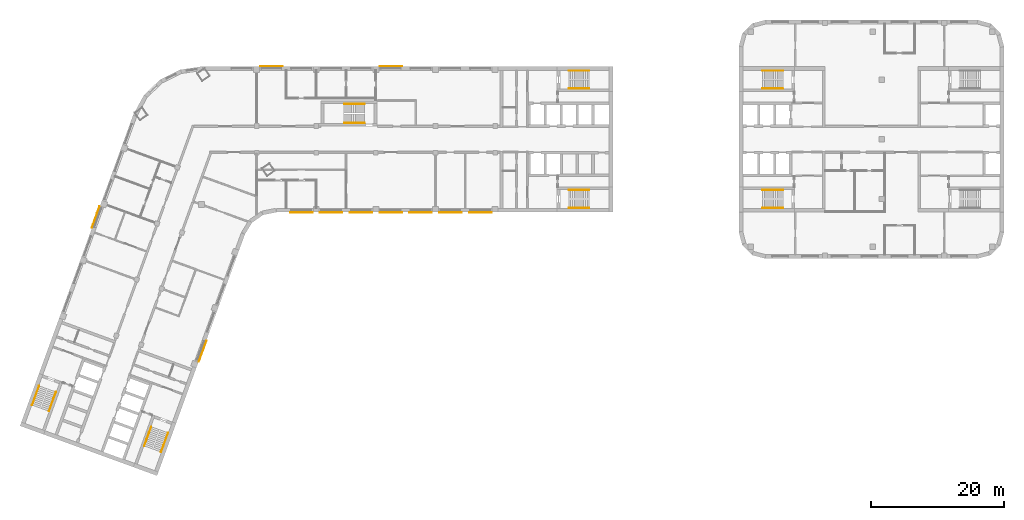
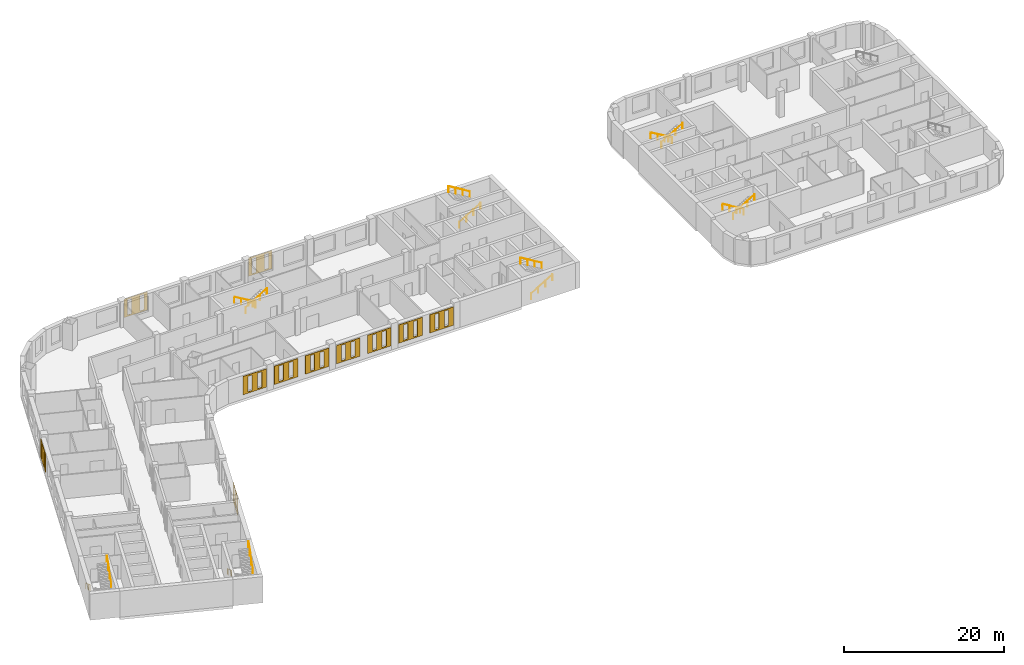
# One storey, part 11 of 12: 14 railings, 11 coverings.
"""IFC4 building model written with IfcOpenShell, lengths in metres."""

import ifcopenshell
import ifcopenshell.guid

model = None  # the IFC model being written
_history = None  # IfcOwnerHistory: only IFC2X3 demands one
_inside = {}  # id of a spatial element -> (the spatial element, [elements in it])
_under = {}  # id of a project, library or spatial element -> (it, [spatial elements below it])
_declared = {}  # id of a project -> (the project, [libraries it declares])
_typed = {}  # id of a type object -> (the type object, [elements of that type])
_made_of = {}  # id of a material, layer set ... -> (it, [elements and type objects made of it])


def new_model(schema):
    """Start an empty IFC model of exactly this schema.

    Asked for "IFC4X3", IfcOpenShell would pick the latest addendum, in which some entities
    have other attributes; the version numbers below select the first issue.
    IFC2X3 requires an IfcOwnerHistory on every rooted entity: one is made here for all.
    """
    global model, _history
    if schema == "IFC4X3":
        model = ifcopenshell.file(schema_version=(4, 3, 0, 0))
    else:
        model = ifcopenshell.file(schema=schema)
    _inside.clear()
    _under.clear()
    _declared.clear()
    _typed.clear()
    _made_of.clear()
    _history = None
    if model.schema == "IFC2X3":
        org = make("IfcOrganization", Name="unknown")
        user = make(
            "IfcPersonAndOrganization",
            ThePerson=make("IfcPerson", FamilyName="unknown"),
            TheOrganization=org,
        )
        app = make(
            "IfcApplication",
            ApplicationDeveloper=org,
            Version="unknown",
            ApplicationFullName="unknown",
            ApplicationIdentifier="unknown",
        )
        _history = make(
            "IfcOwnerHistory",
            OwningUser=user,
            OwningApplication=app,
            ChangeAction="ADDED",
            CreationDate=0,
        )
    return model


def make(cls, **values):
    """One entity of the class cls with the attributes given. An attribute that is None is left unset."""
    return model.create_entity(
        cls, **{name: value for name, value in values.items() if value is not None}
    )


def rooted(cls, **values):
    """An entity with a GlobalId (a new one), such as an element, a storey or a relation."""
    return make(cls, GlobalId=ifcopenshell.guid.new(), OwnerHistory=_history, **values)


def si_unit(unit_type, name, prefix=None):
    """IfcSIUnit, for example si_unit("LENGTHUNIT", "METRE", prefix="MILLI")."""
    return make("IfcSIUnit", UnitType=unit_type, Prefix=prefix, Name=name)


def assignment(units):
    """IfcUnitAssignment: the units of a project."""
    return None if units is None else make("IfcUnitAssignment", Units=units)


def point(xyz):
    """IfcCartesianPoint."""
    return None if xyz is None else make("IfcCartesianPoint", Coordinates=xyz)


def direction(xyz):
    """IfcDirection."""
    return None if xyz is None else make("IfcDirection", DirectionRatios=xyz)


def frame(location, z_axis=None, x_axis=None):
    """IfcAxis2Placement3D, a coordinate frame: its origin and axes. An axis left out is left unset."""
    return make(
        "IfcAxis2Placement3D",
        Location=point(location),
        Axis=direction(z_axis),
        RefDirection=direction(x_axis),
    )


def frame_2d(location, x_axis=None):
    """IfcAxis2Placement2D, a coordinate frame in the plane: its origin and x axis."""
    return make(
        "IfcAxis2Placement2D", Location=point(location), RefDirection=direction(x_axis)
    )


def origin():
    """The frame at (0, 0, 0) with its axes left unset."""
    return frame((0.0, 0.0, 0.0))


def origin_2d():
    """The frame at (0, 0) in the plane with its x axis left unset."""
    return frame_2d((0.0, 0.0))


def place(relative_to, where):
    """IfcLocalPlacement: puts the frame where relative to a parent placement (None: the world)."""
    return make(
        "IfcLocalPlacement", PlacementRelTo=relative_to, RelativePlacement=where
    )


def context(
    kind, dimensions, precision=None, world=None, true_north=None, identifier=None
):
    """IfcGeometricRepresentationContext, for example the 3D "Model" context."""
    return make(
        "IfcGeometricRepresentationContext",
        ContextIdentifier=identifier,
        ContextType=kind,
        CoordinateSpaceDimension=dimensions,
        Precision=precision,
        WorldCoordinateSystem=world,
        TrueNorth=true_north,
    )


def subcontext(parent, identifier, kind, view, scale=None):
    """IfcGeometricRepresentationSubContext, for example "Body" below "Model"."""
    return make(
        "IfcGeometricRepresentationSubContext",
        ContextIdentifier=identifier,
        ContextType=kind,
        ParentContext=parent,
        TargetScale=scale,
        TargetView=view,
    )


def project(units=None, contexts=None):
    """IfcProject with its units and contexts."""
    return rooted(
        "IfcProject",
        Name="project",
        RepresentationContexts=contexts,
        UnitsInContext=assignment(units),
    )


def spatial(cls, under=None, at=None, **own):
    """A site, building, storey or space (cls), placed at a placement, below another one or the project."""
    s = rooted(cls, ObjectPlacement=at, **own)
    if under is not None:
        _under.setdefault(under.id(), (under, []))[1].append(s)
    return s


def polyline(points):
    """IfcPolyline through the points."""
    return make("IfcPolyline", Points=[point(p) for p in points])


def profile(cls, at=None, kind="AREA", **sizes):
    """A parametric profile (cls). Its sizes go by their IFC names, for example OverallWidth=200.0."""
    return make(cls, ProfileType=kind, Position=at, **sizes)


def circle(**sizes):
    """IfcCircleProfileDef."""
    return profile("IfcCircleProfileDef", **sizes)


def outline(outer, holes=None, kind="AREA"):
    """IfcArbitraryClosedProfileDef: a profile drawn as a closed curve; with holes, ...WithVoids."""
    if holes is None:
        return make("IfcArbitraryClosedProfileDef", ProfileType=kind, OuterCurve=outer)
    return make(
        "IfcArbitraryProfileDefWithVoids",
        ProfileType=kind,
        OuterCurve=outer,
        InnerCurves=holes,
    )


def extrude(swept, where, along, depth):
    """IfcExtrudedAreaSolid: the profile swept, set in the frame where, extruded along a direction by depth."""
    return make(
        "IfcExtrudedAreaSolid",
        SweptArea=swept,
        Position=where,
        ExtrudedDirection=direction(along),
        Depth=depth,
    )


def shape(context_of_items, identifier, shape_type, items):
    """IfcShapeRepresentation: the items that make up one representation, for example the "Body"."""
    return make(
        "IfcShapeRepresentation",
        ContextOfItems=context_of_items,
        RepresentationIdentifier=identifier,
        RepresentationType=shape_type,
        Items=items,
    )


def material(Name=None, Category=None):
    """IfcMaterial."""
    return make("IfcMaterial", Name=Name, Category=Category)


def material_profile(
    of_material, cross_section, Name=None, Category=None, Priority=None
):
    """IfcMaterialProfile: a cross section and its material."""
    return make(
        "IfcMaterialProfile",
        Name=Name,
        Material=of_material,
        Profile=cross_section,
        Priority=Priority,
        Category=Category,
    )


def profile_set(profiles, Name=None, composite=None):
    """IfcMaterialProfileSet."""
    return make(
        "IfcMaterialProfileSet",
        Name=Name,
        MaterialProfiles=profiles,
        CompositeProfile=composite,
    )


def made_of(thing, what):
    """Note that an element or type object is made of a material, layer set ...; save() writes the relation."""
    if what is not None:
        _made_of.setdefault(what.id(), (what, []))[1].append(thing)
    return thing


def type_object(cls, material=None, **own):
    """A type object (cls), such as IfcWallType, which elements share."""
    return made_of(rooted(cls, **own), material)


def element(
    cls,
    number,
    at=None,
    inside=None,
    cuts=None,
    type_object=None,
    material=None,
    context=None,
    identifier="Body",
    shape_type=None,
    held_by="IfcProductDefinitionShape",
    body=None,
    shapes=None,
    **own,
):
    """One element of the class cls, such as IfcWall. Its Tag is "e" and its number.

    at: its placement. inside: the storey or other place that contains it. cuts: it is an
    opening in that element (IfcRelVoidsElement). A single representation is given by context,
    identifier, shape_type and body (its items); several are given by shapes. held_by: the class
    of the entity that holds the representations. save() writes the other relations.
    """
    e = rooted(cls, Tag="e%d" % number, ObjectPlacement=at, **own)
    if body is not None:
        shapes = [shape(context, identifier, shape_type, body)]
    if shapes is not None:
        e.Representation = make(held_by, Representations=shapes)
    if inside is not None:
        _inside.setdefault(inside.id(), (inside, []))[1].append(e)
    if cuts is not None:
        rooted(
            "IfcRelVoidsElement", RelatingBuildingElement=cuts, RelatedOpeningElement=e
        )
    if type_object is not None:
        _typed.setdefault(type_object.id(), (type_object, []))[1].append(e)
    return made_of(e, material)


def aggregate(whole, parts):
    """IfcRelAggregates: a whole, such as a stair, and the parts it consists of."""
    return rooted("IfcRelAggregates", RelatingObject=whole, RelatedObjects=parts)


def save(model, path):
    """Write the relations noted so far, then the file.

    IfcRelAggregates (storeys below a building ...), IfcRelContainedInSpatialStructure (elements
    in a storey), IfcRelDefinesByType, IfcRelAssociatesMaterial and IfcRelDeclares: one each for
    every whole, place, type object, material and project.
    """
    for whole, parts in _under.values():
        aggregate(whole, parts)
    for where, things in _inside.values():
        rooted(
            "IfcRelContainedInSpatialStructure",
            RelatedElements=things,
            RelatingStructure=where,
        )
    for kind, things in _typed.values():
        rooted("IfcRelDefinesByType", RelatedObjects=things, RelatingType=kind)
    for what, things in _made_of.values():
        rooted("IfcRelAssociatesMaterial", RelatedObjects=things, RelatingMaterial=what)
    for by, libraries in _declared.values():
        rooted("IfcRelDeclares", RelatingContext=by, RelatedDefinitions=libraries)
    model.write(path)


model = new_model("IFC4")

# Units and contexts
model_context = context("Model", 3, precision=1e-05, world=origin(), true_north=direction((0.0, 1.0)))
body_context = subcontext(model_context, "Body", "Model", "MODEL_VIEW")
ifc_project = project(units=[si_unit("LENGTHUNIT", "METRE"), si_unit("AREAUNIT", "SQUARE_METRE"), si_unit("VOLUMEUNIT", "CUBIC_METRE"), si_unit("PLANEANGLEUNIT", "RADIAN"), si_unit("MASSUNIT", "GRAM", prefix="KILO")], contexts=[model_context])

# Site, building, storey
site_placement = place(None, origin())
site = spatial("IfcSite", under=ifc_project, at=site_placement, CompositionType="ELEMENT")
building_placement = place(site_placement, origin())
building = spatial("IfcBuilding", under=site, at=building_placement, Name="Skarvind Civic Tower", CompositionType="ELEMENT")
storey_placement = place(building_placement, frame((0.0, 0.0, 51.5)))
storey = spatial("IfcBuildingStorey", under=building, at=storey_placement, Name="L11", CompositionType="ELEMENT", Elevation=51.5)

# Railings
ifc_material_1 = material(Name="Painted steel handrail", Category="steel")
railing_type = type_object("IfcRailingType", Name="Stair handrail 900", PredefinedType="HANDRAIL", material=ifc_material_1)
railing_1_placement = place(storey_placement, frame((101.35009765625, 135.64990234375, 0.166748046875)))
element("IfcRailing", 1, at=railing_1_placement, inside=storey, type_object=railing_type, Name="Stair handrail", PredefinedType="HANDRAIL", context=body_context, shape_type="SweptSolid", body=[
    extrude(circle(Radius=0.02392578125, at=origin_2d()), frame((0.0, 0.0, 0.8759765625), z_axis=(0.859290745958, 0.0, 0.51148745235), x_axis=(0.0, 1.0, 0.0)), (0.0, 0.0, 1.0), 3.584228515625),
    extrude(circle(Radius=0.02099609375, at=origin_2d()), origin(), (0.0, 0.0, 1.0), 0.851806640625),
    extrude(circle(Radius=0.02099609375, at=origin_2d()), frame((1.026611328125, 0.0, 0.611083984375)), (0.0, 0.0, 1.0), 0.851806640625),
    extrude(circle(Radius=0.02099609375, at=origin_2d()), frame((2.05322265625, 0.0, 1.22216796875)), (0.0, 0.0, 1.0), 0.851806640625),
    extrude(circle(Radius=0.02099609375, at=origin_2d()), frame((3.079833984375, 0.0, 1.833251953125)), (0.0, 0.0, 1.0), 0.851806640625),
])
railing_2_placement = place(storey_placement, frame((104.429931640625, 138.35009765625, 2.166748046875)))
element("IfcRailing", 2, at=railing_2_placement, inside=storey, type_object=railing_type, Name="Stair handrail", PredefinedType="HANDRAIL", context=body_context, shape_type="SweptSolid", body=[
    extrude(circle(Radius=0.02392578125, at=origin_2d()), frame((0.0, 0.0, 0.8759765625), z_axis=(-0.859290745958, 0.0, 0.51148745235), x_axis=(0.0, -1.0, 0.0)), (0.0, 0.0, 1.0), 3.584228515625),
    extrude(circle(Radius=0.02099609375, at=origin_2d()), origin(), (0.0, 0.0, 1.0), 0.851806640625),
    extrude(circle(Radius=0.02099609375, at=origin_2d()), frame((-1.026611328125, 0.0, 0.611083984375)), (0.0, 0.0, 1.0), 0.851806640625),
    extrude(circle(Radius=0.02099609375, at=origin_2d()), frame((-2.05322265625, 0.0, 1.22216796875)), (0.0, 0.0, 1.0), 0.851806640625),
    extrude(circle(Radius=0.02099609375, at=origin_2d()), frame((-3.079833984375, 0.0, 1.833251953125)), (0.0, 0.0, 1.0), 0.851806640625),
])
railing_3_placement = place(storey_placement, frame((101.35009765625, 117.64990234375, 0.166748046875)))
element("IfcRailing", 3, at=railing_3_placement, inside=storey, type_object=railing_type, Name="Stair handrail", PredefinedType="HANDRAIL", context=body_context, shape_type="SweptSolid", body=[
    extrude(circle(Radius=0.02392578125, at=origin_2d()), frame((0.0, 0.0, 0.8759765625), z_axis=(0.859290745958, 0.0, 0.51148745235), x_axis=(0.0, 1.0, 0.0)), (0.0, 0.0, 1.0), 3.584228515625),
    extrude(circle(Radius=0.02099609375, at=origin_2d()), origin(), (0.0, 0.0, 1.0), 0.851806640625),
    extrude(circle(Radius=0.02099609375, at=origin_2d()), frame((1.026611328125, 0.0, 0.611083984375)), (0.0, 0.0, 1.0), 0.851806640625),
    extrude(circle(Radius=0.02099609375, at=origin_2d()), frame((2.05322265625, 0.0, 1.22216796875)), (0.0, 0.0, 1.0), 0.851806640625),
    extrude(circle(Radius=0.02099609375, at=origin_2d()), frame((3.079833984375, 0.0, 1.833251953125)), (0.0, 0.0, 1.0), 0.851806640625),
])
railing_4_placement = place(storey_placement, frame((104.429931640625, 120.35009765625, 2.166748046875)))
element("IfcRailing", 4, at=railing_4_placement, inside=storey, type_object=railing_type, Name="Stair handrail", PredefinedType="HANDRAIL", context=body_context, shape_type="SweptSolid", body=[
    extrude(circle(Radius=0.02392578125, at=origin_2d()), frame((0.0, 0.0, 0.8759765625), z_axis=(-0.859290745958, 0.0, 0.51148745235), x_axis=(0.0, -1.0, 0.0)), (0.0, 0.0, 1.0), 3.584228515625),
    extrude(circle(Radius=0.02099609375, at=origin_2d()), origin(), (0.0, 0.0, 1.0), 0.851806640625),
    extrude(circle(Radius=0.02099609375, at=origin_2d()), frame((-1.026611328125, 0.0, 0.611083984375)), (0.0, 0.0, 1.0), 0.851806640625),
    extrude(circle(Radius=0.02099609375, at=origin_2d()), frame((-2.05322265625, 0.0, 1.22216796875)), (0.0, 0.0, 1.0), 0.851806640625),
    extrude(circle(Radius=0.02099609375, at=origin_2d()), frame((-3.079833984375, 0.0, 1.833251953125)), (0.0, 0.0, 1.0), 0.851806640625),
])
railing_5_placement = place(storey_placement, frame((38.362060546875, 84.64794921875, 0.166748046875)))
element("IfcRailing", 5, at=railing_5_placement, inside=storey, type_object=railing_type, Name="Stair handrail", PredefinedType="HANDRAIL", context=body_context, shape_type="SweptSolid", body=[
    extrude(circle(Radius=0.02392578125, at=origin_2d()), frame((0.0, 0.0, 0.8759765625), z_axis=(-0.293908055923, -0.807480881337, 0.511461319103), x_axis=(0.939689235759, -0.342029443467, 0.0)), (0.0, 0.0, 1.0), 3.584228515625),
    extrude(circle(Radius=0.02099609375, at=origin_2d()), origin(), (0.0, 0.0, 1.0), 0.851806640625),
    extrude(circle(Radius=0.02099609375, at=origin_2d()), frame((-0.35107421875, -0.96484375, 0.611083984375)), (0.0, 0.0, 1.0), 0.851806640625),
    extrude(circle(Radius=0.02099609375, at=origin_2d()), frame((-0.702392578125, -1.929443359375, 1.22216796875)), (0.0, 0.0, 1.0), 0.851806640625),
    extrude(circle(Radius=0.02099609375, at=origin_2d()), frame((-1.053466796875, -2.894287109375, 1.833251953125)), (0.0, 0.0, 1.0), 0.851806640625),
])
railing_6_placement = place(storey_placement, frame((39.845703125, 80.830078125, 2.166748046875)))
element("IfcRailing", 6, at=railing_6_placement, inside=storey, type_object=railing_type, Name="Stair handrail", PredefinedType="HANDRAIL", context=body_context, shape_type="SweptSolid", body=[
    extrude(circle(Radius=0.02392578125, at=origin_2d()), frame((0.0, 0.0, 0.8759765625), z_axis=(0.293908055923, 0.807480881337, 0.511461319103), x_axis=(-0.939689235759, 0.342029443467, 0.0)), (0.0, 0.0, 1.0), 3.584228515625),
    extrude(circle(Radius=0.02099609375, at=origin_2d()), origin(), (0.0, 0.0, 1.0), 0.851806640625),
    extrude(circle(Radius=0.02099609375, at=origin_2d()), frame((0.35107421875, 0.96484375, 0.611083984375)), (0.0, 0.0, 1.0), 0.851806640625),
    extrude(circle(Radius=0.02099609375, at=origin_2d()), frame((0.702392578125, 1.929443359375, 1.22216796875)), (0.0, 0.0, 1.0), 0.851806640625),
    extrude(circle(Radius=0.02099609375, at=origin_2d()), frame((1.053466796875, 2.894287109375, 1.833251953125)), (0.0, 0.0, 1.0), 0.851806640625),
])
railing_7_placement = place(storey_placement, frame((21.447509765625, 90.80419921875, 0.166748046875)))
element("IfcRailing", 7, at=railing_7_placement, inside=storey, type_object=railing_type, Name="Stair handrail", PredefinedType="HANDRAIL", context=body_context, shape_type="SweptSolid", body=[
    extrude(circle(Radius=0.02392578125, at=origin_2d()), frame((0.0, 0.0, 0.8759765625), z_axis=(-0.293845824691, -0.807497044902, 0.511471557163), x_axis=(0.939714709796, -0.34195944817, 0.0)), (0.0, 0.0, 1.0), 3.584228515625),
    extrude(circle(Radius=0.02099609375, at=origin_2d()), origin(), (0.0, 0.0, 1.0), 0.851806640625),
    extrude(circle(Radius=0.02099609375, at=origin_2d()), frame((-0.35107421875, -0.96484375, 0.611083984375)), (0.0, 0.0, 1.0), 0.851806640625),
    extrude(circle(Radius=0.02099609375, at=origin_2d()), frame((-0.7021484375, -1.929443359375, 1.22216796875)), (0.0, 0.0, 1.0), 0.851806640625),
    extrude(circle(Radius=0.02099609375, at=origin_2d()), frame((-1.05322265625, -2.894287109375, 1.833251953125)), (0.0, 0.0, 1.0), 0.851806640625),
])
railing_8_placement = place(storey_placement, frame((22.931396484375, 86.986572265625, 2.166748046875)))
element("IfcRailing", 8, at=railing_8_placement, inside=storey, type_object=railing_type, Name="Stair handrail", PredefinedType="HANDRAIL", context=body_context, shape_type="SweptSolid", body=[
    extrude(circle(Radius=0.02392578125, at=origin_2d()), frame((0.0, 0.0, 0.8759765625), z_axis=(0.293908055923, 0.807480881337, 0.511461319103), x_axis=(-0.939689235759, 0.342029443467, 0.0)), (0.0, 0.0, 1.0), 3.584228515625),
    extrude(circle(Radius=0.02099609375, at=origin_2d()), origin(), (0.0, 0.0, 1.0), 0.851806640625),
    extrude(circle(Radius=0.02099609375, at=origin_2d()), frame((0.35107421875, 0.96484375, 0.611083984375)), (0.0, 0.0, 1.0), 0.851806640625),
    extrude(circle(Radius=0.02099609375, at=origin_2d()), frame((0.702392578125, 1.929443359375, 1.22216796875)), (0.0, 0.0, 1.0), 0.851806640625),
    extrude(circle(Radius=0.02099609375, at=origin_2d()), frame((1.053466796875, 2.894287109375, 1.833251953125)), (0.0, 0.0, 1.0), 0.851806640625),
])
railing_9_placement = place(storey_placement, frame((133.64990234375, 120.35009765625, 0.166748046875)))
element("IfcRailing", 9, at=railing_9_placement, inside=storey, type_object=railing_type, Name="Stair handrail", PredefinedType="HANDRAIL", context=body_context, shape_type="SweptSolid", body=[
    extrude(circle(Radius=0.02392578125, at=origin_2d()), frame((0.0, 0.0, 0.8759765625), z_axis=(-0.859290745958, 0.0, 0.51148745235), x_axis=(0.0, -1.0, 0.0)), (0.0, 0.0, 1.0), 3.584228515625),
    extrude(circle(Radius=0.02099609375, at=origin_2d()), origin(), (0.0, 0.0, 1.0), 0.851806640625),
    extrude(circle(Radius=0.02099609375, at=origin_2d()), frame((-1.026611328125, 0.0, 0.611083984375)), (0.0, 0.0, 1.0), 0.851806640625),
    extrude(circle(Radius=0.02099609375, at=origin_2d()), frame((-2.05322265625, 0.0, 1.22216796875)), (0.0, 0.0, 1.0), 0.851806640625),
    extrude(circle(Radius=0.02099609375, at=origin_2d()), frame((-3.079833984375, 0.0, 1.833251953125)), (0.0, 0.0, 1.0), 0.851806640625),
])
railing_10_placement = place(storey_placement, frame((130.570068359375, 117.64990234375, 2.166748046875)))
element("IfcRailing", 10, at=railing_10_placement, inside=storey, type_object=railing_type, Name="Stair handrail", PredefinedType="HANDRAIL", context=body_context, shape_type="SweptSolid", body=[
    extrude(circle(Radius=0.02392578125, at=origin_2d()), frame((0.0, 0.0, 0.8759765625), z_axis=(0.859290745958, 0.0, 0.51148745235), x_axis=(0.0, 1.0, 0.0)), (0.0, 0.0, 1.0), 3.584228515625),
    extrude(circle(Radius=0.02099609375, at=origin_2d()), origin(), (0.0, 0.0, 1.0), 0.851806640625),
    extrude(circle(Radius=0.02099609375, at=origin_2d()), frame((1.026611328125, 0.0, 0.611083984375)), (0.0, 0.0, 1.0), 0.851806640625),
    extrude(circle(Radius=0.02099609375, at=origin_2d()), frame((2.05322265625, 0.0, 1.22216796875)), (0.0, 0.0, 1.0), 0.851806640625),
    extrude(circle(Radius=0.02099609375, at=origin_2d()), frame((3.079833984375, 0.0, 1.833251953125)), (0.0, 0.0, 1.0), 0.851806640625),
])
railing_11_placement = place(storey_placement, frame((133.64990234375, 138.35009765625, 0.166748046875)))
element("IfcRailing", 11, at=railing_11_placement, inside=storey, type_object=railing_type, Name="Stair handrail", PredefinedType="HANDRAIL", context=body_context, shape_type="SweptSolid", body=[
    extrude(circle(Radius=0.02392578125, at=origin_2d()), frame((0.0, 0.0, 0.8759765625), z_axis=(-0.859290745958, 0.0, 0.51148745235), x_axis=(0.0, -1.0, 0.0)), (0.0, 0.0, 1.0), 3.584228515625),
    extrude(circle(Radius=0.02099609375, at=origin_2d()), origin(), (0.0, 0.0, 1.0), 0.851806640625),
    extrude(circle(Radius=0.02099609375, at=origin_2d()), frame((-1.026611328125, 0.0, 0.611083984375)), (0.0, 0.0, 1.0), 0.851806640625),
    extrude(circle(Radius=0.02099609375, at=origin_2d()), frame((-2.05322265625, 0.0, 1.22216796875)), (0.0, 0.0, 1.0), 0.851806640625),
    extrude(circle(Radius=0.02099609375, at=origin_2d()), frame((-3.079833984375, 0.0, 1.833251953125)), (0.0, 0.0, 1.0), 0.851806640625),
])
railing_12_placement = place(storey_placement, frame((130.570068359375, 135.64990234375, 2.166748046875)))
element("IfcRailing", 12, at=railing_12_placement, inside=storey, type_object=railing_type, Name="Stair handrail", PredefinedType="HANDRAIL", context=body_context, shape_type="SweptSolid", body=[
    extrude(circle(Radius=0.02392578125, at=origin_2d()), frame((0.0, 0.0, 0.8759765625), z_axis=(0.859290745958, 0.0, 0.51148745235), x_axis=(0.0, 1.0, 0.0)), (0.0, 0.0, 1.0), 3.584228515625),
    extrude(circle(Radius=0.02099609375, at=origin_2d()), origin(), (0.0, 0.0, 1.0), 0.851806640625),
    extrude(circle(Radius=0.02099609375, at=origin_2d()), frame((1.026611328125, 0.0, 0.611083984375)), (0.0, 0.0, 1.0), 0.851806640625),
    extrude(circle(Radius=0.02099609375, at=origin_2d()), frame((2.05322265625, 0.0, 1.22216796875)), (0.0, 0.0, 1.0), 0.851806640625),
    extrude(circle(Radius=0.02099609375, at=origin_2d()), frame((3.079833984375, 0.0, 1.833251953125)), (0.0, 0.0, 1.0), 0.851806640625),
])
railing_13_placement = place(storey_placement, frame((70.550048828125, 133.35009765625, 0.166748046875)))
element("IfcRailing", 13, at=railing_13_placement, inside=storey, type_object=railing_type, Name="Stair handrail", PredefinedType="HANDRAIL", context=body_context, shape_type="SweptSolid", body=[
    extrude(circle(Radius=0.02392578125, at=origin_2d()), frame((0.0, 0.0, 0.8759765625), z_axis=(-0.859308565015, 0.0, 0.511457515432), x_axis=(0.0, -1.0, 0.0)), (0.0, 0.0, 1.0), 3.58447265625),
    extrude(circle(Radius=0.02099609375, at=origin_2d()), origin(), (0.0, 0.0, 1.0), 0.851806640625),
    extrude(circle(Radius=0.02099609375, at=origin_2d()), frame((-1.026611328125, 0.0, 0.611083984375)), (0.0, 0.0, 1.0), 0.851806640625),
    extrude(circle(Radius=0.02099609375, at=origin_2d()), frame((-2.053466796875, 0.0, 1.22216796875)), (0.0, 0.0, 1.0), 0.851806640625),
    extrude(circle(Radius=0.02099609375, at=origin_2d()), frame((-3.080078125, 0.0, 1.833251953125)), (0.0, 0.0, 1.0), 0.851806640625),
])
railing_14_placement = place(storey_placement, frame((67.469970703125, 130.449951171875, 2.166748046875)))
element("IfcRailing", 14, at=railing_14_placement, inside=storey, type_object=railing_type, Name="Stair handrail", PredefinedType="HANDRAIL", context=body_context, shape_type="SweptSolid", body=[
    extrude(circle(Radius=0.02392578125, at=origin_2d()), frame((0.0, 0.0, 0.8759765625), z_axis=(0.859308565015, 0.0, 0.511457515432), x_axis=(0.0, 1.0, 0.0)), (0.0, 0.0, 1.0), 3.58447265625),
    extrude(circle(Radius=0.02099609375, at=origin_2d()), origin(), (0.0, 0.0, 1.0), 0.851806640625),
    extrude(circle(Radius=0.02099609375, at=origin_2d()), frame((1.026611328125, 0.0, 0.611083984375)), (0.0, 0.0, 1.0), 0.851806640625),
    extrude(circle(Radius=0.02099609375, at=origin_2d()), frame((2.053466796875, 0.0, 1.22216796875)), (0.0, 0.0, 1.0), 0.851806640625),
    extrude(circle(Radius=0.02099609375, at=origin_2d()), frame((3.080078125, 0.0, 1.833251953125)), (0.0, 0.0, 1.0), 0.851806640625),
])

# Coverings
ifc_material_2 = material(Name="Terracotta", Category="masonry")
ifc_material_profile_1 = material_profile(ifc_material_2, outline(polyline([(-1.699951171875, -1.39990234375), (1.699951171875, -1.39990234375), (1.699951171875, 1.39990234375), (-1.699951171875, 1.39990234375), (-1.699951171875, -1.39990234375)]), holes=[polyline([(-1.0, -1.18994140625), (-0.39990234375, -1.18994140625), (-0.39990234375, 1.18994140625), (-1.0, 1.18994140625), (-1.0, -1.18994140625)]), polyline([(0.39990234375, -1.18994140625), (1.0, -1.18994140625), (1.0, 1.18994140625), (0.39990234375, 1.18994140625), (0.39990234375, -1.18994140625)])]), Name="TERRACOTTA SCREEN 3400 x 2800, SLIT PITCH 1400")
ifc_profile_set_1 = profile_set([ifc_material_profile_1], Name="Terracotta")
covering_type_1 = type_object("IfcCoveringType", Name="TERRACOTTA SCREEN 3400 x 2800, SLIT PITCH 1400", PredefinedType="CLADDING", material=ifc_profile_set_1)
for number, where, z_axis, x_axis, name in (
    (15, (88.0, 117.0, 2.10009765625), (0.0, -1.0, 0.0), (1.0, 0.0, 0.0), "TERRACOTTA SCREEN"),
    (16, (83.5, 117.0, 2.10009765625), (0.0, -1.0, 0.0), (1.0, 0.0, 0.0), "TERRACOTTA SCREEN"),
    (17, (79.0, 117.0, 2.10009765625), (0.0, -1.0, 0.0), (1.0, 0.0, 0.0), "TERRACOTTA SCREEN"),
    (18, (74.5, 117.0, 2.10009765625), (0.0, -1.0, 0.0), (1.0, 0.0, 0.0), "TERRACOTTA SCREEN"),
    (19, (70.0, 117.0, 2.10009765625), (0.0, -1.0, 0.0), (1.0, 0.0, 0.0), "TERRACOTTA SCREEN"),
    (20, (65.5, 117.0, 2.10009765625), (0.0, -1.0, 0.0), (1.0, 0.0, 0.0), "TERRACOTTA SCREEN"),
    (21, (61.0, 117.0, 2.10009765625), (0.0, -1.0, 0.0), (1.0, 0.0, 0.0), "TERRACOTTA SCREEN"),
):
    element("IfcCovering", number, at=place(storey_placement, frame(where, z_axis=z_axis, x_axis=x_axis)), inside=storey, type_object=covering_type_1, Name=name, PredefinedType="CLADDING", context=body_context, shape_type="SweptSolid", body=[
        extrude(outline(polyline([(-1.699951171875, -1.39990234375), (1.699951171875, -1.39990234375), (1.699951171875, 1.39990234375), (-1.699951171875, 1.39990234375), (-1.699951171875, -1.39990234375)]), holes=[polyline([(-1.0, -1.18994140625), (-0.39990234375, -1.18994140625), (-0.39990234375, 1.18994140625), (-1.0, 1.18994140625), (-1.0, -1.18994140625)]), polyline([(0.39990234375, -1.18994140625), (1.0, -1.18994140625), (1.0, 1.18994140625), (0.39990234375, 1.18994140625), (0.39990234375, -1.18994140625)])]), origin(), (0.0, 0.0, 1.0), 0.06005859375),
    ])
ifc_material_profile_2 = material_profile(ifc_material_2, outline(polyline([(-1.699951171875, -1.39990234375), (1.699951171875, -1.39990234375), (1.699951171875, 1.39990234375), (-1.699951171875, 1.39990234375), (-1.699951171875, -1.39990234375)]), holes=[polyline([(-1.199951171875, -1.18994140625), (-0.60009765625, -1.18994140625), (-0.60009765625, 1.18994140625), (-1.199951171875, 1.18994140625), (-1.199951171875, -1.18994140625)]), polyline([(0.60009765625, -1.18994140625), (1.199951171875, -1.18994140625), (1.199951171875, 1.18994140625), (0.60009765625, 1.18994140625), (0.60009765625, -1.18994140625)])]), Name="TERRACOTTA SCREEN 3400 x 2800, SLIT PITCH 1800")
ifc_profile_set_2 = profile_set([ifc_material_profile_2], Name="Terracotta")
covering_type_2 = type_object("IfcCoveringType", Name="TERRACOTTA SCREEN 3400 x 2800, SLIT PITCH 1800", PredefinedType="CLADDING", material=ifc_profile_set_2)
for number, where, z_axis, x_axis, name in (
    (22, (46.075927734375, 96.047119140625, 2.10009765625), (0.939793423488, -0.341743063087, 0.0), (0.341743063087, 0.939793423488, 0.0), "TERRACOTTA SCREEN"),
    (23, (56.5, 139.0, 2.10009765625), (0.0, 1.0, 0.0), (-1.0, 0.0, 0.0), "TERRACOTTA SCREEN"),
    (24, (74.5, 139.0, 2.10009765625), (0.0, 1.0, 0.0), (-1.0, 0.0, 0.0), "TERRACOTTA SCREEN"),
    (25, (30.02001953125, 116.25732421875, 2.10009765625), (-0.939793423488, 0.341743063087, 0.0), (-0.341743063087, -0.939793423488, 0.0), "TERRACOTTA SCREEN"),
):
    element("IfcCovering", number, at=place(storey_placement, frame(where, z_axis=z_axis, x_axis=x_axis)), inside=storey, type_object=covering_type_2, Name=name, PredefinedType="CLADDING", context=body_context, shape_type="SweptSolid", body=[
        extrude(outline(polyline([(-1.699951171875, -1.39990234375), (1.699951171875, -1.39990234375), (1.699951171875, 1.39990234375), (-1.699951171875, 1.39990234375), (-1.699951171875, -1.39990234375)]), holes=[polyline([(-1.199951171875, -1.18994140625), (-0.60009765625, -1.18994140625), (-0.60009765625, 1.18994140625), (-1.199951171875, 1.18994140625), (-1.199951171875, -1.18994140625)]), polyline([(0.60009765625, -1.18994140625), (1.199951171875, -1.18994140625), (1.199951171875, 1.18994140625), (0.60009765625, 1.18994140625), (0.60009765625, -1.18994140625)])]), origin(), (0.0, 0.0, 1.0), 0.06005859375),
    ])

save(model, "model.ifc")
